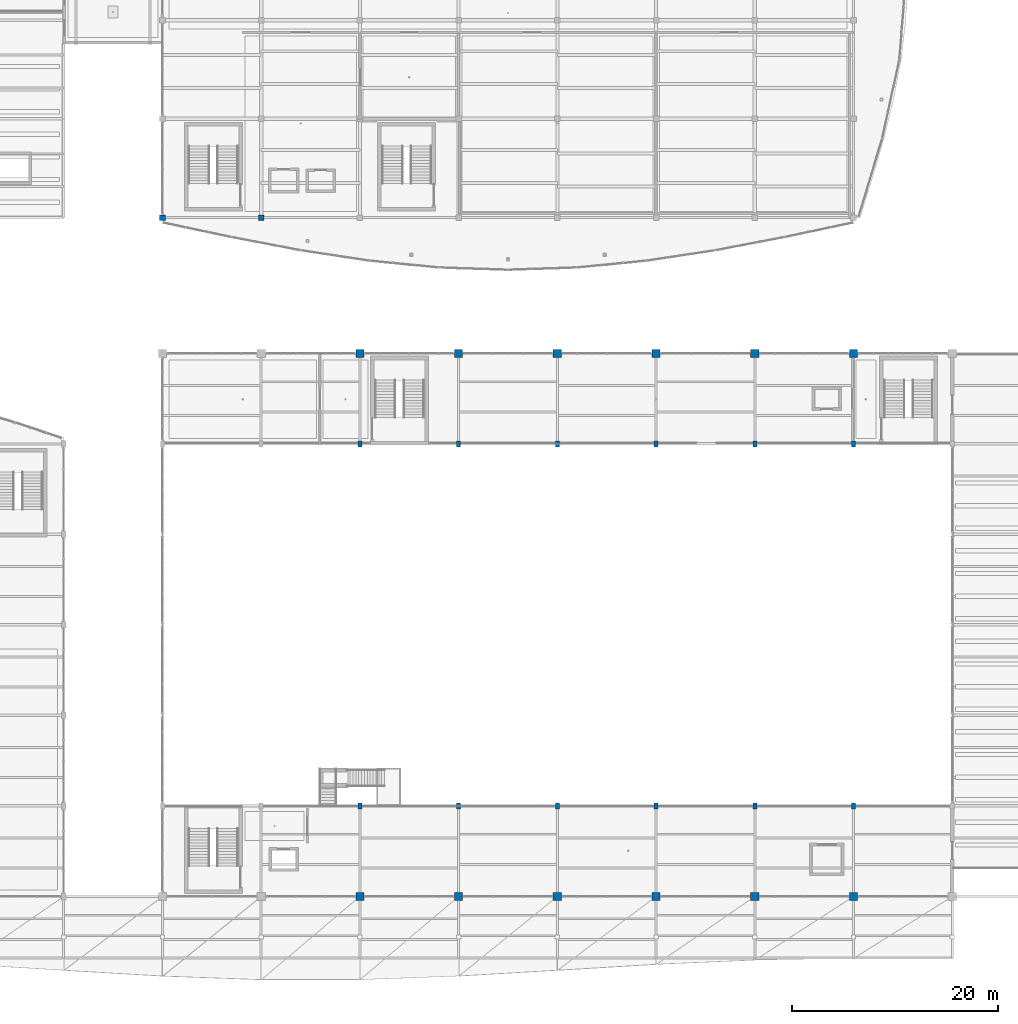
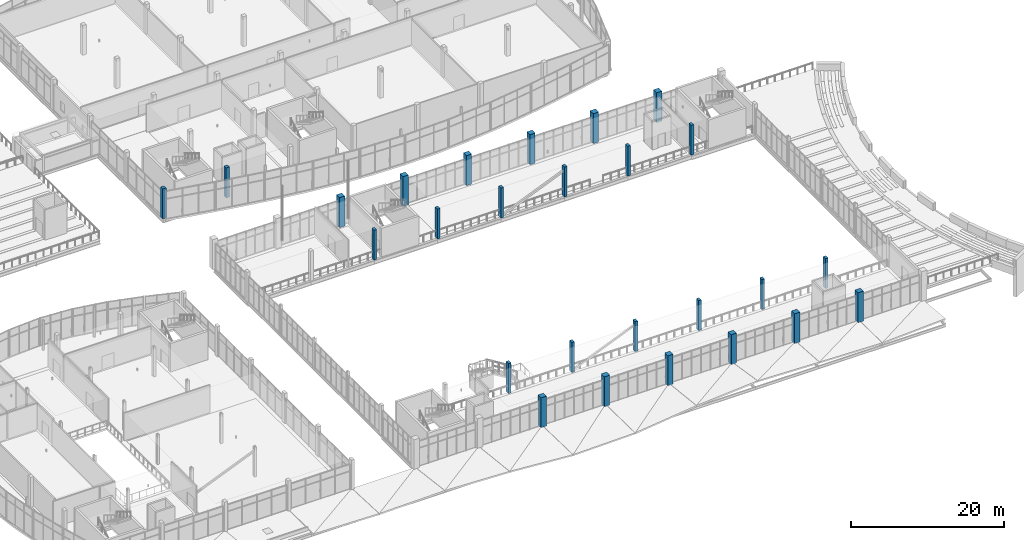
# One storey, part 5 of 157: 26 columns.
"""IFC4 building model written with IfcOpenShell, lengths in metres."""

from ifc_helpers import new_model, si_unit, direction, frame, origin, origin_2d, place, context, subcontext, project, spatial, rectangle, extrude, material, material_profile, profile_set, type_object, element, save


model = new_model("IFC4")

# Units and contexts
model_context = context("Model", 3, precision=1e-05, world=origin(), true_north=direction((0.0, 1.0)))
body_context = subcontext(model_context, "Body", "Model", "MODEL_VIEW")
ifc_project = project(units=[si_unit("LENGTHUNIT", "METRE"), si_unit("AREAUNIT", "SQUARE_METRE"), si_unit("VOLUMEUNIT", "CUBIC_METRE"), si_unit("PLANEANGLEUNIT", "RADIAN"), si_unit("MASSUNIT", "GRAM", prefix="KILO")], contexts=[model_context])

# Site, building, storey
site_placement = place(None, origin())
site = spatial("IfcSite", under=ifc_project, at=site_placement, CompositionType="ELEMENT")
building_placement = place(site_placement, origin())
building = spatial("IfcBuilding", under=site, at=building_placement, Name="Chalmorin Arch Market", CompositionType="ELEMENT")
storey_placement = place(building_placement, frame((0.0, 0.0, 4.800048828125)))
storey = spatial("IfcBuildingStorey", under=building, at=storey_placement, Name="L01", CompositionType="ELEMENT", Elevation=4.800048828125)

# Columns
ifc_material_1 = material(Name="Concrete C50/60", Category="concrete")
ifc_material_profile_1 = material_profile(ifc_material_1, rectangle(XDim=0.800048828125, YDim=0.800048828125, at=origin_2d()), Name="RC800X800")
ifc_profile_set_1 = profile_set([ifc_material_profile_1], Name="Concrete C50/60")
column_type_1 = type_object("IfcColumnType", Name="ArchPierColumn-800x800", PredefinedType="COLUMN", material=ifc_profile_set_1)
for number, where, z_axis, x_axis, name in (
    (1, (67.199951171875, 6.0, 0.0), (0.0, 0.0, 1.0), (1.0, 0.0, 0.0), "C-AP1-314"),
    (2, (67.199951171875, 58.800048828125, 0.0), (0.0, 0.0, 1.0), (1.0, 0.0, 0.0), "C-AP1-332"),
    (3, (76.800048828125, 6.0, 0.0), (0.0, 0.0, 1.0), (1.0, 0.0, 0.0), "C-AP1-369"),
    (4, (76.800048828125, 58.800048828125, 0.0), (0.0, 0.0, 1.0), (1.0, 0.0, 0.0), "C-AP1-387"),
    (5, (86.39990234375, 6.0, 0.0), (0.0, 0.0, 1.0), (1.0, 0.0, 0.0), "C-AP1-424"),
    (6, (86.39990234375, 58.800048828125, 0.0), (0.0, 0.0, 1.0), (1.0, 0.0, 0.0), "C-AP1-442"),
    (7, (96.0, 6.0, 0.0), (0.0, 0.0, 1.0), (1.0, 0.0, 0.0), "C-AP1-479"),
    (8, (96.0, 58.800048828125, 0.0), (0.0, 0.0, 1.0), (1.0, 0.0, 0.0), "C-AP1-497"),
    (9, (105.60009765625, 6.0, 0.0), (0.0, 0.0, 1.0), (1.0, 0.0, 0.0), "C-AP1-534"),
    (10, (105.60009765625, 58.800048828125, 0.0), (0.0, 0.0, 1.0), (1.0, 0.0, 0.0), "C-AP1-552"),
    (11, (115.199951171875, 6.0, 0.0), (0.0, 0.0, 1.0), (1.0, 0.0, 0.0), "C-AP1-589"),
    (12, (115.199951171875, 58.800048828125, 0.0), (0.0, 0.0, 1.0), (1.0, 0.0, 0.0), "C-AP1-607"),
):
    element("IfcColumn", number, at=place(storey_placement, frame(where, z_axis=z_axis, x_axis=x_axis)), inside=storey, type_object=column_type_1, Name=name, PredefinedType="COLUMN", context=body_context, shape_type="SweptSolid", body=[
        extrude(rectangle(XDim=0.800048828125, YDim=0.800048828125, at=origin_2d()), origin(), (0.0, 0.0, 1.0), 4.800048828125),
    ])
ifc_material_2 = material(Name="Concrete C40/50", Category="concrete")
ifc_material_profile_2 = material_profile(ifc_material_2, rectangle(XDim=0.39990234375, YDim=0.60009765625, at=origin_2d()), Name="RC400X600")
ifc_profile_set_2 = profile_set([ifc_material_profile_2], Name="Concrete C40/50")
column_type_2 = type_object("IfcColumnType", Name="GalleryConcreteColumn-400x600", PredefinedType="COLUMN", material=ifc_profile_set_2)
for number, where, z_axis, x_axis, name in (
    (13, (67.199951171875, 14.800048828125, 0.0), (0.0, 0.0, 1.0), (1.0, 0.0, 0.0), "C-RC5-319"),
    (14, (67.199951171875, 50.0, 0.0), (0.0, 0.0, 1.0), (1.0, 0.0, 0.0), "C-RC5-327"),
    (15, (76.800048828125, 14.800048828125, 0.0), (0.0, 0.0, 1.0), (1.0, 0.0, 0.0), "C-RC5-374"),
    (16, (76.800048828125, 50.0, 0.0), (0.0, 0.0, 1.0), (1.0, 0.0, 0.0), "C-RC5-382"),
    (17, (86.39990234375, 14.800048828125, 0.0), (0.0, 0.0, 1.0), (1.0, 0.0, 0.0), "C-RC5-429"),
    (18, (86.39990234375, 50.0, 0.0), (0.0, 0.0, 1.0), (1.0, 0.0, 0.0), "C-RC5-437"),
    (19, (96.0, 14.800048828125, 0.0), (0.0, 0.0, 1.0), (1.0, 0.0, 0.0), "C-RC5-484"),
    (20, (96.0, 50.0, 0.0), (0.0, 0.0, 1.0), (1.0, 0.0, 0.0), "C-RC5-492"),
    (21, (105.60009765625, 14.800048828125, 0.0), (0.0, 0.0, 1.0), (1.0, 0.0, 0.0), "C-RC5-539"),
    (22, (105.60009765625, 50.0, 0.0), (0.0, 0.0, 1.0), (1.0, 0.0, 0.0), "C-RC5-547"),
    (23, (115.199951171875, 14.800048828125, 0.0), (0.0, 0.0, 1.0), (1.0, 0.0, 0.0), "C-RC5-594"),
    (24, (115.199951171875, 50.0, 0.0), (0.0, 0.0, 1.0), (1.0, 0.0, 0.0), "C-RC5-602"),
):
    element("IfcColumn", number, at=place(storey_placement, frame(where, z_axis=z_axis, x_axis=x_axis)), inside=storey, type_object=column_type_2, Name=name, PredefinedType="COLUMN", context=body_context, shape_type="SweptSolid", body=[
        extrude(rectangle(XDim=0.39990234375, YDim=0.60009765625, at=origin_2d()), origin(), (0.0, 0.0, 1.0), 4.800048828125),
    ])
ifc_material_profile_3 = material_profile(ifc_material_2, rectangle(XDim=0.550048828125, YDim=0.550048828125, at=origin_2d()), Name="RC550X550")
ifc_profile_set_3 = profile_set([ifc_material_profile_3], Name="Concrete C40/50")
column_type_3 = type_object("IfcColumnType", Name="MidConcreteColumn-550x550", PredefinedType="COLUMN", material=ifc_profile_set_3)
for number, where, z_axis, x_axis, name in (
    (25, (48.0, 72.0, 0.0), (0.0, 0.0, 1.0), (1.0, 0.0, 0.0), "C-RC7-227"),
    (26, (57.60009765625, 72.0, 0.0), (0.0, 0.0, 1.0), (1.0, 0.0, 0.0), "C-RC7-282"),
):
    element("IfcColumn", number, at=place(storey_placement, frame(where, z_axis=z_axis, x_axis=x_axis)), inside=storey, type_object=column_type_3, Name=name, PredefinedType="COLUMN", context=body_context, shape_type="SweptSolid", body=[
        extrude(rectangle(XDim=0.550048828125, YDim=0.550048828125, at=origin_2d()), origin(), (0.0, 0.0, 1.0), 4.800048828125),
    ])

save(model, "model.ifc")
